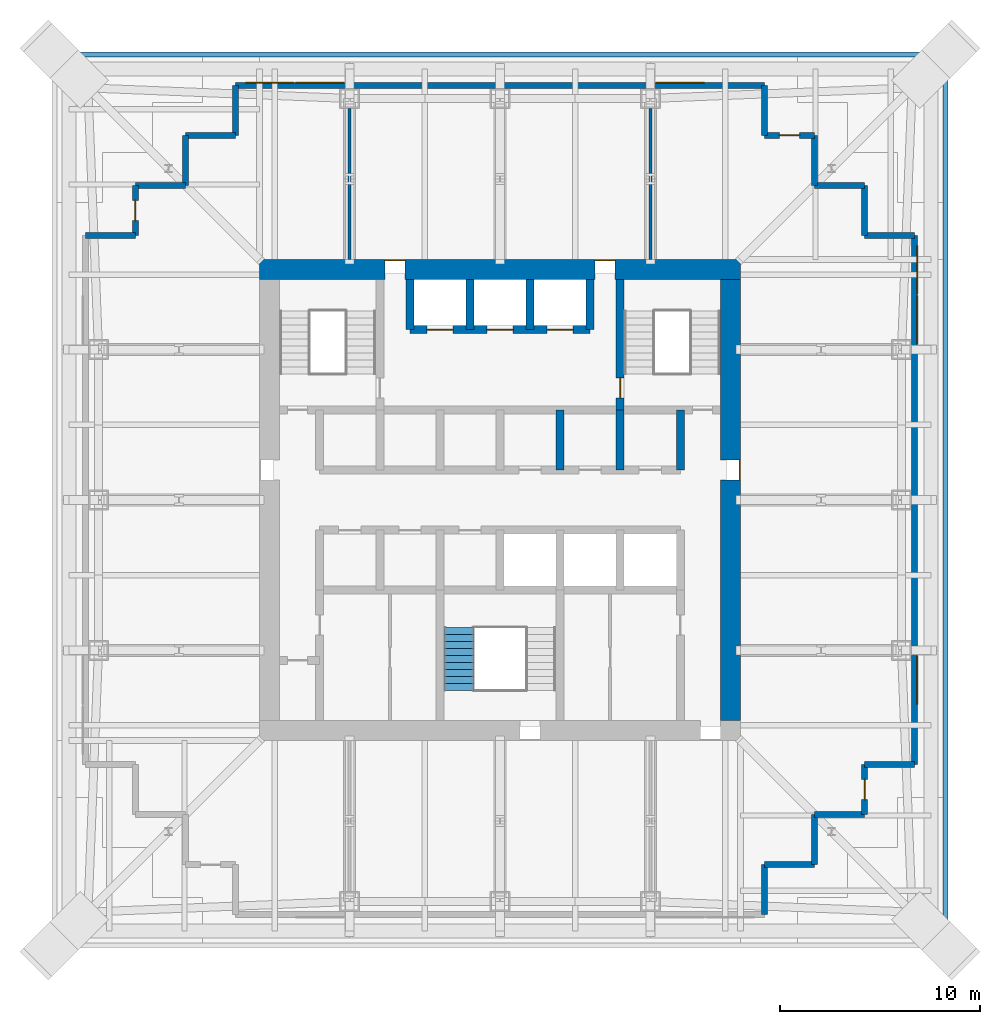
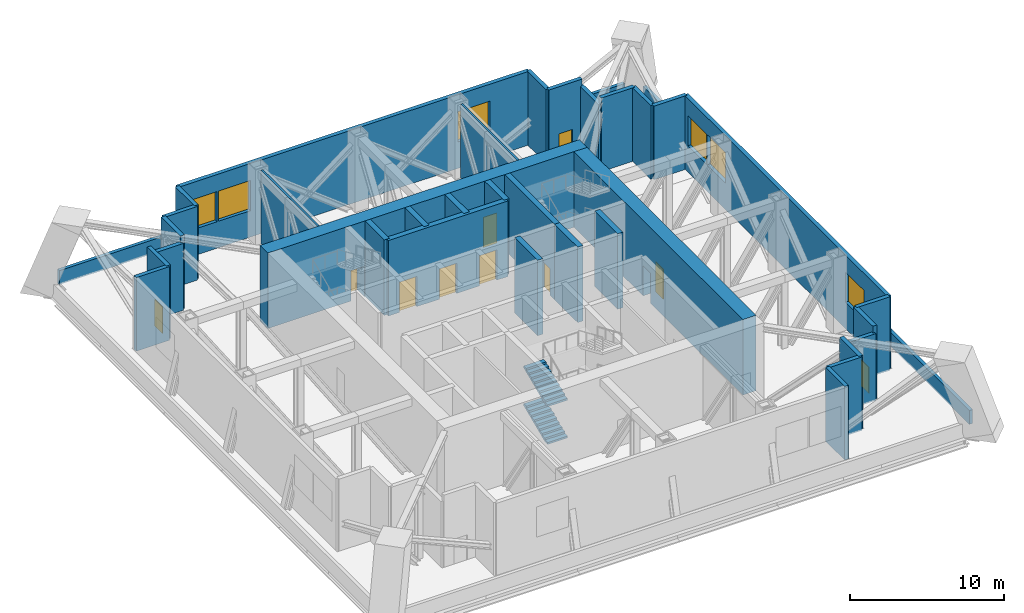
# One storey, part 6 of 9: 35 walls, 10 doors, 6 windows, 2 stair flights, 16 openings, 1 element without a shape of its own.
"""IFC4 building model written with IfcOpenShell, lengths in metres."""

from ifc_helpers import new_model, si_unit, direction, frame, frame_2d, origin, place, context, subcontext, project, spatial, polyline, rectangle, outline, extrude, material, layer, layer_set, type_object, element, fill, aggregate, save


model = new_model("IFC4")

# Units and contexts
model_context = context("Model", 3, precision=1e-05, world=origin(), true_north=direction((0.0, 1.0)))
body_context = subcontext(model_context, "Body", "Model", "MODEL_VIEW")
ifc_project = project(units=[si_unit("LENGTHUNIT", "METRE"), si_unit("AREAUNIT", "SQUARE_METRE"), si_unit("VOLUMEUNIT", "CUBIC_METRE"), si_unit("PLANEANGLEUNIT", "RADIAN"), si_unit("MASSUNIT", "GRAM", prefix="KILO")], contexts=[model_context])

# Site, building, storey
site_placement = place(None, origin())
site = spatial("IfcSite", under=ifc_project, at=site_placement, CompositionType="ELEMENT")
building_placement = place(site_placement, origin())
building = spatial("IfcBuilding", under=site, at=building_placement, Name="Tarangal Relay Tower", CompositionType="ELEMENT")
storey_placement = place(building_placement, frame((0.0, 0.0, 253.89990234375)))
storey = spatial("IfcBuildingStorey", under=building, at=storey_placement, Name="L55", CompositionType="ELEMENT", Elevation=253.89990234375)

# Wall, openings, doors
ifc_material_1 = material(Name="Concrete fc' 60 MPa", Category="concrete")
ifc_layer_1 = layer(ifc_material_1, 0.39990234375)
ifc_layer_set_1 = layer_set([ifc_layer_1], Name="Core inner wall 400")
wall_type_1 = type_object("IfcWallType", Name="Core inner wall 400", PredefinedType="SHEAR", material=ifc_layer_set_1)
wall_1_placement = place(storey_placement, frame((-4.5, 8.5, 0.0), z_axis=(0.0, 0.0, 1.0), x_axis=(1.0, 0.0, 0.0)))
wall_1 = element("IfcWall", 1, at=wall_1_placement, inside=storey, type_object=wall_type_1, Name="Core wall Y85 L55", PredefinedType="SHEAR", context=body_context, shape_type="SweptSolid", body=[
    extrude(rectangle(XDim=9.0, YDim=0.39990234375, at=frame_2d((4.5, 0.0))), origin(), (0.0, 0.0, 1.0), 6.0),
])
opening_1_placement = place(wall_1_placement, frame((0.85009765625, 0.0, 0.0)))
opening_1 = element("IfcOpeningElement", 2, at=opening_1_placement, cuts=wall_1, Name="Opening LD2", PredefinedType="OPENING", context=body_context, shape_type="SweptSolid", body=[
    extrude(rectangle(XDim=1.300048828125, YDim=2.39990234375, at=frame_2d((0.64990234375, 1.199951171875))), frame((0.0, 0.2099609375, 0.0), z_axis=(0.0, -1.0, 0.0), x_axis=(1.0, 0.0, 0.0)), (0.0, 0.0, 1.0), 0.419921875),
])
opening_2_placement = place(wall_1_placement, frame((6.85009765625, 0.0, 0.0)))
opening_2 = element("IfcOpeningElement", 3, at=opening_2_placement, cuts=wall_1, Name="Opening LD2", PredefinedType="OPENING", context=body_context, shape_type="SweptSolid", body=[
    extrude(rectangle(XDim=1.300048828125, YDim=2.39990234375, at=frame_2d((0.64990234375, 1.199951171875))), frame((0.0, 0.2099609375, 0.0), z_axis=(0.0, -1.0, 0.0), x_axis=(1.0, 0.0, 0.0)), (0.0, 0.0, 1.0), 0.419921875),
])
opening_3_placement = place(wall_1_placement, frame((3.85009765625, 0.0, 0.0)))
opening_3 = element("IfcOpeningElement", 4, at=opening_3_placement, cuts=wall_1, Name="Opening LD2", PredefinedType="OPENING", context=body_context, shape_type="SweptSolid", body=[
    extrude(rectangle(XDim=1.300048828125, YDim=2.39990234375, at=frame_2d((0.64990234375, 1.199951171875))), frame((0.0, 0.2099609375, 0.0), z_axis=(0.0, -1.0, 0.0), x_axis=(1.0, 0.0, 0.0)), (0.0, 0.0, 1.0), 0.419921875),
])
ifc_material_2 = material(Name="Steel door with hardwood frame", Category="steel")
door_type_1 = type_object("IfcDoorType", Name="Lift landing door 1300 x 2400", OperationType="SLIDING_TO_LEFT", PredefinedType="DOOR", material=ifc_material_2)
door_1_placement = place(opening_1_placement, origin())
door_1 = element("IfcDoor", 5, at=door_1_placement, inside=storey, type_object=door_type_1, Name="Lift FF1 landing door L55", OperationType="SLIDING_TO_LEFT", OverallHeight=2.39990234375, OverallWidth=1.300048828125, PredefinedType="DOOR", context=body_context, shape_type="SweptSolid", body=[
    extrude(rectangle(XDim=1.300048828125, YDim=2.39990234375, at=frame_2d((0.64990234375, 1.199951171875))), frame((0.0, 0.02490234375, 0.0), z_axis=(0.0, -1.0, 0.0), x_axis=(1.0, 0.0, 0.0)), (0.0, 0.0, 1.0), 0.050048828125),
])
fill(opening_1, door_1)
door_2_placement = place(opening_2_placement, origin())
door_2 = element("IfcDoor", 6, at=door_2_placement, inside=storey, type_object=door_type_1, Name="Lift FF2 landing door L55", OperationType="SLIDING_TO_LEFT", OverallHeight=2.39990234375, OverallWidth=1.300048828125, PredefinedType="DOOR", context=body_context, shape_type="SweptSolid", body=[
    extrude(rectangle(XDim=1.300048828125, YDim=2.39990234375, at=frame_2d((0.64990234375, 1.199951171875))), frame((0.0, 0.02490234375, 0.0), z_axis=(0.0, -1.0, 0.0), x_axis=(1.0, 0.0, 0.0)), (0.0, 0.0, 1.0), 0.050048828125),
])
fill(opening_2, door_2)
door_3_placement = place(opening_3_placement, origin())
door_3 = element("IfcDoor", 7, at=door_3_placement, inside=storey, type_object=door_type_1, Name="Lift SV1 landing door L55", OperationType="SLIDING_TO_LEFT", OverallHeight=2.39990234375, OverallWidth=1.300048828125, PredefinedType="DOOR", context=body_context, shape_type="SweptSolid", body=[
    extrude(rectangle(XDim=1.300048828125, YDim=2.39990234375, at=frame_2d((0.64990234375, 1.199951171875))), frame((0.0, 0.02490234375, 0.0), z_axis=(0.0, -1.0, 0.0), x_axis=(1.0, 0.0, 0.0)), (0.0, 0.0, 1.0), 0.050048828125),
])
fill(opening_3, door_3)

# Walls
for number, where, z_axis, x_axis, name in (
    (8, (9.0, 1.5, 0.0), (0.0, 0.0, 1.0), (0.0, 1.0, 0.0), "Core wall X9N L55"),
    (9, (3.0, 1.5, 0.0), (0.0, 0.0, 1.0), (0.0, 1.0, 0.0), "Core wall X3N L55"),
    (10, (6.0, 1.5, 0.0), (0.0, 0.0, 1.0), (0.0, 1.0, 0.0), "Core wall X6N L55"),
):
    element("IfcWall", number, at=place(storey_placement, frame(where, z_axis=z_axis, x_axis=x_axis)), inside=storey, type_object=wall_type_1, Name=name, PredefinedType="SHEAR", context=body_context, shape_type="SweptSolid", body=[
        extrude(rectangle(XDim=3.0, YDim=0.39990234375, at=frame_2d((1.5, 0.0))), origin(), (0.0, 0.0, 1.0), 6.0),
    ])

# Wall, opening, door
wall_2_placement = place(storey_placement, frame((6.0, 4.5, 0.0), z_axis=(0.0, 0.0, 1.0), x_axis=(0.0, 1.0, 0.0)))
wall_2 = element("IfcWall", 11, at=wall_2_placement, inside=storey, type_object=wall_type_1, Name="Core wall X6 L55", PredefinedType="SHEAR", context=body_context, shape_type="SweptSolid", body=[
    extrude(rectangle(XDim=6.5, YDim=0.39990234375, at=frame_2d((3.25, 0.0))), origin(), (0.0, 0.0, 1.0), 6.0),
])
opening_4_placement = place(wall_2_placement, frame((0.60009765625, 0.0, 0.0)))
opening_4 = element("IfcOpeningElement", 12, at=opening_4_placement, cuts=wall_2, Name="Opening FD1", PredefinedType="OPENING", context=body_context, shape_type="SweptSolid", body=[
    extrude(rectangle(XDim=1.0, YDim=2.10009765625, at=frame_2d((0.5, 1.050048828125))), frame((0.0, 0.2099609375, 0.0), z_axis=(0.0, -1.0, 0.0), x_axis=(1.0, 0.0, 0.0)), (0.0, 0.0, 1.0), 0.419921875),
])
door_type_2 = type_object("IfcDoorType", Name="Fire door 1000 x 2100", OperationType="SINGLE_SWING_LEFT", PredefinedType="DOOR", material=ifc_material_2)
door_4_placement = place(opening_4_placement, origin())
door_4 = element("IfcDoor", 13, at=door_4_placement, inside=storey, type_object=door_type_2, Name="Stair ST-B door from fire-fighting lobby L55", OperationType="SINGLE_SWING_LEFT", OverallHeight=2.10009765625, OverallWidth=1.0, PredefinedType="DOOR", context=body_context, shape_type="SweptSolid", body=[
    extrude(rectangle(XDim=1.0, YDim=2.10009765625, at=frame_2d((0.5, 1.050048828125))), frame((0.0, 0.02490234375, 0.0), z_axis=(0.0, -1.0, 0.0), x_axis=(1.0, 0.0, 0.0)), (0.0, 0.0, 1.0), 0.050048828125),
])
fill(opening_4, door_4)

# Walls
for number, where, z_axis, x_axis, name in (
    (14, (-4.5, 8.5, 0.0), (0.0, 0.0, 1.0), (0.0, 1.0, 0.0), "Core wall XM45 L55"),
    (15, (4.5, 8.5, 0.0), (0.0, 0.0, 1.0), (0.0, 1.0, 0.0), "Core wall X45 L55"),
    (16, (-1.5, 8.5, 0.0), (0.0, 0.0, 1.0), (0.0, 1.0, 0.0), "Core wall XM15 L55"),
    (17, (1.5, 8.5, 0.0), (0.0, 0.0, 1.0), (0.0, 1.0, 0.0), "Core wall X15 L55"),
):
    element("IfcWall", number, at=place(storey_placement, frame(where, z_axis=z_axis, x_axis=x_axis)), inside=storey, type_object=wall_type_1, Name=name, PredefinedType="SHEAR", context=body_context, shape_type="SweptSolid", body=[
        extrude(rectangle(XDim=2.5, YDim=0.39990234375, at=frame_2d((1.25, 0.0))), origin(), (0.0, 0.0, 1.0), 6.0),
    ])

# Wall, openings, doors
ifc_layer_2 = layer(ifc_material_1, 1.0)
ifc_layer_set_2 = layer_set([ifc_layer_2], Name="Core wall 1000")
wall_type_2 = type_object("IfcWallType", Name="Core wall 1000", PredefinedType="SHEAR", material=ifc_layer_set_2)
wall_3_placement = place(storey_placement, frame((-12.0, 11.5, 0.0), z_axis=(0.0, 0.0, 1.0), x_axis=(1.0, 0.0, 0.0)))
wall_3 = element("IfcWall", 18, at=wall_3_placement, inside=storey, type_object=wall_type_2, Name="Core wall N L55", PredefinedType="SHEAR", context=body_context, shape_type="SweptSolid", body=[
    extrude(rectangle(XDim=24.0, YDim=1.0, at=frame_2d((12.0, 0.0))), origin(), (0.0, 0.0, 1.0), 6.0),
])
opening_5_placement = place(wall_3_placement, frame((6.25, 0.0, 0.0)))
opening_5 = element("IfcOpeningElement", 19, at=opening_5_placement, cuts=wall_3, Name="Opening FD3", PredefinedType="OPENING", context=body_context, shape_type="SweptSolid", body=[
    extrude(rectangle(XDim=1.0, YDim=2.39990234375, at=frame_2d((0.5, 1.199951171875))), frame((0.0, 0.510009765625, 0.0), z_axis=(0.0, -1.0, 0.0), x_axis=(1.0, 0.0, 0.0)), (0.0, 0.0, 1.0), 1.02001953125),
])
opening_6_placement = place(wall_3_placement, frame((16.75, 0.0, 0.0)))
opening_6 = element("IfcOpeningElement", 20, at=opening_6_placement, cuts=wall_3, Name="Opening FD3", PredefinedType="OPENING", context=body_context, shape_type="SweptSolid", body=[
    extrude(rectangle(XDim=1.0, YDim=2.39990234375, at=frame_2d((0.5, 1.199951171875))), frame((0.0, 0.510009765625, 0.0), z_axis=(0.0, -1.0, 0.0), x_axis=(1.0, 0.0, 0.0)), (0.0, 0.0, 1.0), 1.02001953125),
])
door_type_3 = type_object("IfcDoorType", Name="Fire door 1000 x 2400 core entry", OperationType="SINGLE_SWING_RIGHT", PredefinedType="DOOR", material=ifc_material_2)
door_5_placement = place(opening_5_placement, origin())
door_5 = element("IfcDoor", 21, at=door_5_placement, inside=storey, type_object=door_type_3, Name="Core entry door north west L55", OperationType="SINGLE_SWING_RIGHT", OverallHeight=2.39990234375, OverallWidth=1.0, PredefinedType="DOOR", context=body_context, shape_type="SweptSolid", body=[
    extrude(rectangle(XDim=1.0, YDim=2.39990234375, at=frame_2d((0.5, 1.199951171875))), frame((0.0, 0.48486328125, 0.0), z_axis=(0.0, -1.0, 0.0), x_axis=(1.0, 0.0, 0.0)), (0.0, 0.0, 1.0), 0.050048828125),
])
fill(opening_5, door_5)
door_6_placement = place(opening_6_placement, origin())
door_6 = element("IfcDoor", 22, at=door_6_placement, inside=storey, type_object=door_type_3, Name="Core entry door north east L55", OperationType="SINGLE_SWING_RIGHT", OverallHeight=2.39990234375, OverallWidth=1.0, PredefinedType="DOOR", context=body_context, shape_type="SweptSolid", body=[
    extrude(rectangle(XDim=1.0, YDim=2.39990234375, at=frame_2d((0.5, 1.199951171875))), frame((0.0, 0.48486328125, 0.0), z_axis=(0.0, -1.0, 0.0), x_axis=(1.0, 0.0, 0.0)), (0.0, 0.0, 1.0), 0.050048828125),
])
fill(opening_6, door_6)

# Wall, opening, door
wall_4_placement = place(storey_placement, frame((11.5, 11.0, 0.0), z_axis=(0.0, 0.0, 1.0), x_axis=(0.0, -1.0, 0.0)))
wall_4 = element("IfcWall", 23, at=wall_4_placement, inside=storey, type_object=wall_type_2, Name="Core wall E L55", PredefinedType="SHEAR", context=body_context, shape_type="SweptSolid", body=[
    extrude(rectangle(XDim=22.0, YDim=1.0, at=frame_2d((11.0, 0.0))), origin(), (0.0, 0.0, 1.0), 6.0),
])
opening_7_placement = place(wall_4_placement, frame((9.0, 0.0, 0.0)))
opening_7 = element("IfcOpeningElement", 24, at=opening_7_placement, cuts=wall_4, Name="Opening FD3", PredefinedType="OPENING", context=body_context, shape_type="SweptSolid", body=[
    extrude(rectangle(XDim=1.0, YDim=2.39990234375, at=frame_2d((0.5, 1.199951171875))), frame((0.0, 0.510009765625, 0.0), z_axis=(0.0, -1.0, 0.0), x_axis=(1.0, 0.0, 0.0)), (0.0, 0.0, 1.0), 1.02001953125),
])
door_7_placement = place(opening_7_placement, origin())
door_7 = element("IfcDoor", 25, at=door_7_placement, inside=storey, type_object=door_type_3, Name="Core entry door east L55", OperationType="SINGLE_SWING_RIGHT", OverallHeight=2.39990234375, OverallWidth=1.0, PredefinedType="DOOR", context=body_context, shape_type="SweptSolid", body=[
    extrude(rectangle(XDim=1.0, YDim=2.39990234375, at=frame_2d((0.5, 1.199951171875))), frame((0.0, 0.48486328125, 0.0), z_axis=(0.0, -1.0, 0.0), x_axis=(1.0, 0.0, 0.0)), (0.0, 0.0, 1.0), 0.050048828125),
])
fill(opening_7, door_7)

# Wall, openings, windows
ifc_material_3 = material(Name="Insulated precast concrete fc' 40 MPa", Category="concrete")
ifc_layer_3 = layer(ifc_material_3, 0.300048828125)
ifc_layer_set_3 = layer_set([ifc_layer_3], Name="Insulated precast concrete fc' 40 MPa")
wall_type_3 = type_object("IfcWallType", Name="Facade wall precast 300", PredefinedType="SOLIDWALL", material=ifc_layer_set_3)
wall_5_placement = place(storey_placement, frame((-13.199951171875, 20.699951171875, 0.0), z_axis=(0.0, 0.0, 1.0), x_axis=(1.0, 0.0, 0.0)))
wall_5 = element("IfcWall", 26, at=wall_5_placement, inside=storey, type_object=wall_type_3, Name="Facade wall N facade L55", PredefinedType="SOLIDWALL", context=body_context, shape_type="SweptSolid", body=[
    extrude(rectangle(XDim=26.39990234375, YDim=0.300048828125, at=frame_2d((13.199951171875, 0.0))), origin(), (0.0, 0.0, 1.0), 5.85009765625),
])
opening_8_placement = place(wall_5_placement, frame((0.5, 0.0, 2.10009765625)))
opening_8 = element("IfcOpeningElement", 27, at=opening_8_placement, cuts=wall_5, Name="Opening LV1", PredefinedType="OPENING", context=body_context, shape_type="SweptSolid", body=[
    extrude(rectangle(XDim=2.39990234375, YDim=2.39990234375, at=frame_2d((1.199951171875, 1.199951171875))), frame((0.0, 0.159912109375, 0.0), z_axis=(0.0, -1.0, 0.0), x_axis=(1.0, 0.0, 0.0)), (0.0, 0.0, 1.0), 0.320068359375),
])
opening_9_placement = place(wall_5_placement, frame((3.0, 0.0, 2.10009765625)))
opening_9 = element("IfcOpeningElement", 28, at=opening_9_placement, cuts=wall_5, Name="Opening LV1", PredefinedType="OPENING", context=body_context, shape_type="SweptSolid", body=[
    extrude(rectangle(XDim=2.39990234375, YDim=2.39990234375, at=frame_2d((1.199951171875, 1.199951171875))), frame((0.0, 0.159912109375, 0.0), z_axis=(0.0, -1.0, 0.0), x_axis=(1.0, 0.0, 0.0)), (0.0, 0.0, 1.0), 0.320068359375),
])
opening_10_placement = place(wall_5_placement, frame((21.0, 0.0, 2.10009765625)))
opening_10 = element("IfcOpeningElement", 29, at=opening_10_placement, cuts=wall_5, Name="Opening LV1", PredefinedType="OPENING", context=body_context, shape_type="SweptSolid", body=[
    extrude(rectangle(XDim=2.39990234375, YDim=2.39990234375, at=frame_2d((1.199951171875, 1.199951171875))), frame((0.0, 0.159912109375, 0.0), z_axis=(0.0, -1.0, 0.0), x_axis=(1.0, 0.0, 0.0)), (0.0, 0.0, 1.0), 0.320068359375),
])
ifc_material_4 = material(Name="Black aluminium weather louvre", Category="aluminium")
window_type = type_object("IfcWindowType", Name="Louvre 2400 x 2400", PartitioningType="SINGLE_PANEL", PredefinedType="WINDOW", material=ifc_material_4)
window_1_placement = place(opening_8_placement, origin())
window_1 = element("IfcWindow", 30, at=window_1_placement, inside=storey, type_object=window_type, Name="Louvre LV1 N facade L55", OverallHeight=2.39990234375, OverallWidth=2.39990234375, PartitioningType="SINGLE_PANEL", PredefinedType="WINDOW", context=body_context, shape_type="SweptSolid", body=[
    extrude(rectangle(XDim=2.39990234375, YDim=2.39990234375, at=frame_2d((1.199951171875, 1.199951171875))), frame((0.0, 0.150146484375, 0.0), z_axis=(0.0, -1.0, 0.0), x_axis=(1.0, 0.0, 0.0)), (0.0, 0.0, 1.0), 0.06005859375),
])
fill(opening_8, window_1)
window_2_placement = place(opening_9_placement, origin())
window_2 = element("IfcWindow", 31, at=window_2_placement, inside=storey, type_object=window_type, Name="Louvre LV1 N facade L55", OverallHeight=2.39990234375, OverallWidth=2.39990234375, PartitioningType="SINGLE_PANEL", PredefinedType="WINDOW", context=body_context, shape_type="SweptSolid", body=[
    extrude(rectangle(XDim=2.39990234375, YDim=2.39990234375, at=frame_2d((1.199951171875, 1.199951171875))), frame((0.0, 0.150146484375, 0.0), z_axis=(0.0, -1.0, 0.0), x_axis=(1.0, 0.0, 0.0)), (0.0, 0.0, 1.0), 0.06005859375),
])
fill(opening_9, window_2)
window_3_placement = place(opening_10_placement, origin())
window_3 = element("IfcWindow", 32, at=window_3_placement, inside=storey, type_object=window_type, Name="Louvre LV1 N facade L55", OverallHeight=2.39990234375, OverallWidth=2.39990234375, PartitioningType="SINGLE_PANEL", PredefinedType="WINDOW", context=body_context, shape_type="SweptSolid", body=[
    extrude(rectangle(XDim=2.39990234375, YDim=2.39990234375, at=frame_2d((1.199951171875, 1.199951171875))), frame((0.0, 0.150146484375, 0.0), z_axis=(0.0, -1.0, 0.0), x_axis=(1.0, 0.0, 0.0)), (0.0, 0.0, 1.0), 0.06005859375),
])
fill(opening_10, window_3)

# Wall
wall_6_placement = place(storey_placement, frame((13.199951171875, 20.699951171875, 0.0), z_axis=(0.0, 0.0, 1.0), x_axis=(0.0, -1.0, 0.0)))
element("IfcWall", 33, at=wall_6_placement, inside=storey, type_object=wall_type_3, Name="Facade wall N facade L55", PredefinedType="SOLIDWALL", context=body_context, shape_type="SweptSolid", body=[
    extrude(rectangle(XDim=2.5, YDim=0.300048828125, at=frame_2d((1.25, 0.0))), origin(), (0.0, 0.0, 1.0), 5.85009765625),
])

# Wall, opening, door
wall_7_placement = place(storey_placement, frame((13.199951171875, 18.199951171875, 0.0), z_axis=(0.0, 0.0, 1.0), x_axis=(1.0, 0.0, 0.0)))
wall_7 = element("IfcWall", 34, at=wall_7_placement, inside=storey, type_object=wall_type_3, Name="Facade wall N facade L55", PredefinedType="SOLIDWALL", context=body_context, shape_type="SweptSolid", body=[
    extrude(rectangle(XDim=2.5, YDim=0.300048828125, at=frame_2d((1.25, 0.0))), origin(), (0.0, 0.0, 1.0), 5.85009765625),
])
opening_11_placement = place(wall_7_placement, frame((0.75, 0.0, 0.0)))
opening_11 = element("IfcOpeningElement", 35, at=opening_11_placement, cuts=wall_7, Name="Opening MD1", PredefinedType="OPENING", context=body_context, shape_type="SweptSolid", body=[
    extrude(rectangle(XDim=1.0, YDim=2.10009765625, at=frame_2d((0.5, 1.050048828125))), frame((0.0, 0.159912109375, 0.0), z_axis=(0.0, -1.0, 0.0), x_axis=(1.0, 0.0, 0.0)), (0.0, 0.0, 1.0), 0.320068359375),
])
door_type_4 = type_object("IfcDoorType", Name="Maintenance access door 1000 x 2100", OperationType="SINGLE_SWING_RIGHT", PredefinedType="DOOR", material=ifc_material_2)
door_8_placement = place(opening_11_placement, origin())
door_8 = element("IfcDoor", 36, at=door_8_placement, inside=storey, type_object=door_type_4, Name="Maintenance access door MD1 NE L55", OperationType="SINGLE_SWING_RIGHT", OverallHeight=2.10009765625, OverallWidth=1.0, PredefinedType="DOOR", context=body_context, shape_type="SweptSolid", body=[
    extrude(rectangle(XDim=1.0, YDim=2.10009765625, at=frame_2d((0.5, 1.050048828125))), frame((0.0, 0.02490234375, 0.0), z_axis=(0.0, -1.0, 0.0), x_axis=(1.0, 0.0, 0.0)), (0.0, 0.0, 1.0), 0.050048828125),
])
fill(opening_11, door_8)

# Walls
wall_8_placement = place(storey_placement, frame((15.699951171875, 18.199951171875, 0.0), z_axis=(0.0, 0.0, 1.0), x_axis=(0.0, -1.0, 0.0)))
element("IfcWall", 37, at=wall_8_placement, inside=storey, type_object=wall_type_3, Name="Facade wall N facade L55", PredefinedType="SOLIDWALL", context=body_context, shape_type="SweptSolid", body=[
    extrude(rectangle(XDim=2.5, YDim=0.300048828125, at=frame_2d((1.25, 0.0))), origin(), (0.0, 0.0, 1.0), 5.306396484375),
])
for number, where, z_axis, x_axis, name in (
    (38, (15.699951171875, 15.699951171875, 0.0), (0.0, 0.0, 1.0), (1.0, 0.0, 0.0), "Facade wall N facade L55"),
    (39, (18.199951171875, 15.699951171875, 0.0), (0.0, 0.0, 1.0), (0.0, -1.0, 0.0), "Facade wall N facade L55"),
    (40, (18.199951171875, 13.199951171875, 0.0), (0.0, 0.0, 1.0), (1.0, 0.0, 0.0), "Facade wall N facade L55"),
):
    element("IfcWall", number, at=place(storey_placement, frame(where, z_axis=z_axis, x_axis=x_axis)), inside=storey, type_object=wall_type_3, Name=name, PredefinedType="SOLIDWALL", context=body_context, shape_type="SweptSolid", body=[
        extrude(rectangle(XDim=2.5, YDim=0.300048828125, at=frame_2d((1.25, 0.0))), origin(), (0.0, 0.0, 1.0), 5.85009765625),
    ])

# Wall, openings, windows
wall_9_placement = place(storey_placement, frame((20.699951171875, 13.199951171875, 0.0), z_axis=(0.0, 0.0, 1.0), x_axis=(0.0, -1.0, 0.0)))
wall_9 = element("IfcWall", 41, at=wall_9_placement, inside=storey, type_object=wall_type_3, Name="Facade wall E facade L55", PredefinedType="SOLIDWALL", context=body_context, shape_type="SweptSolid", body=[
    extrude(rectangle(XDim=26.39990234375, YDim=0.300048828125, at=frame_2d((13.199951171875, 0.0))), origin(), (0.0, 0.0, 1.0), 5.85009765625),
])
opening_12_placement = place(wall_9_placement, frame((0.5, 0.0, 2.10009765625)))
opening_12 = element("IfcOpeningElement", 42, at=opening_12_placement, cuts=wall_9, Name="Opening LV1", PredefinedType="OPENING", context=body_context, shape_type="SweptSolid", body=[
    extrude(rectangle(XDim=2.39990234375, YDim=2.39990234375, at=frame_2d((1.199951171875, 1.199951171875))), frame((0.0, 0.159912109375, 0.0), z_axis=(0.0, -1.0, 0.0), x_axis=(1.0, 0.0, 0.0)), (0.0, 0.0, 1.0), 0.320068359375),
])
opening_13_placement = place(wall_9_placement, frame((3.0, 0.0, 2.10009765625)))
opening_13 = element("IfcOpeningElement", 43, at=opening_13_placement, cuts=wall_9, Name="Opening LV1", PredefinedType="OPENING", context=body_context, shape_type="SweptSolid", body=[
    extrude(rectangle(XDim=2.39990234375, YDim=2.39990234375, at=frame_2d((1.199951171875, 1.199951171875))), frame((0.0, 0.159912109375, 0.0), z_axis=(0.0, -1.0, 0.0), x_axis=(1.0, 0.0, 0.0)), (0.0, 0.0, 1.0), 0.320068359375),
])
opening_14_placement = place(wall_9_placement, frame((21.0, 0.0, 2.10009765625)))
opening_14 = element("IfcOpeningElement", 44, at=opening_14_placement, cuts=wall_9, Name="Opening LV1", PredefinedType="OPENING", context=body_context, shape_type="SweptSolid", body=[
    extrude(rectangle(XDim=2.39990234375, YDim=2.39990234375, at=frame_2d((1.199951171875, 1.199951171875))), frame((0.0, 0.159912109375, 0.0), z_axis=(0.0, -1.0, 0.0), x_axis=(1.0, 0.0, 0.0)), (0.0, 0.0, 1.0), 0.320068359375),
])
window_4_placement = place(opening_12_placement, origin())
window_4 = element("IfcWindow", 45, at=window_4_placement, inside=storey, type_object=window_type, Name="Louvre LV1 E facade L55", OverallHeight=2.39990234375, OverallWidth=2.39990234375, PartitioningType="SINGLE_PANEL", PredefinedType="WINDOW", context=body_context, shape_type="SweptSolid", body=[
    extrude(rectangle(XDim=2.39990234375, YDim=2.39990234375, at=frame_2d((1.199951171875, 1.199951171875))), frame((0.0, 0.150146484375, 0.0), z_axis=(0.0, -1.0, 0.0), x_axis=(1.0, 0.0, 0.0)), (0.0, 0.0, 1.0), 0.06005859375),
])
fill(opening_12, window_4)
window_5_placement = place(opening_13_placement, origin())
window_5 = element("IfcWindow", 46, at=window_5_placement, inside=storey, type_object=window_type, Name="Louvre LV1 E facade L55", OverallHeight=2.39990234375, OverallWidth=2.39990234375, PartitioningType="SINGLE_PANEL", PredefinedType="WINDOW", context=body_context, shape_type="SweptSolid", body=[
    extrude(rectangle(XDim=2.39990234375, YDim=2.39990234375, at=frame_2d((1.199951171875, 1.199951171875))), frame((0.0, 0.150146484375, 0.0), z_axis=(0.0, -1.0, 0.0), x_axis=(1.0, 0.0, 0.0)), (0.0, 0.0, 1.0), 0.06005859375),
])
fill(opening_13, window_5)
window_6_placement = place(opening_14_placement, origin())
window_6 = element("IfcWindow", 47, at=window_6_placement, inside=storey, type_object=window_type, Name="Louvre LV1 E facade L55", OverallHeight=2.39990234375, OverallWidth=2.39990234375, PartitioningType="SINGLE_PANEL", PredefinedType="WINDOW", context=body_context, shape_type="SweptSolid", body=[
    extrude(rectangle(XDim=2.39990234375, YDim=2.39990234375, at=frame_2d((1.199951171875, 1.199951171875))), frame((0.0, 0.150146484375, 0.0), z_axis=(0.0, -1.0, 0.0), x_axis=(1.0, 0.0, 0.0)), (0.0, 0.0, 1.0), 0.06005859375),
])
fill(opening_14, window_6)

# Wall
wall_10_placement = place(storey_placement, frame((20.699951171875, -13.199951171875, 0.0), z_axis=(0.0, 0.0, 1.0), x_axis=(-1.0, 0.0, 0.0)))
element("IfcWall", 48, at=wall_10_placement, inside=storey, type_object=wall_type_3, Name="Facade wall E facade L55", PredefinedType="SOLIDWALL", context=body_context, shape_type="SweptSolid", body=[
    extrude(rectangle(XDim=2.5, YDim=0.300048828125, at=frame_2d((1.25, 0.0))), origin(), (0.0, 0.0, 1.0), 5.85009765625),
])

# Wall, opening, door
wall_11_placement = place(storey_placement, frame((18.199951171875, -13.199951171875, 0.0), z_axis=(0.0, 0.0, 1.0), x_axis=(0.0, -1.0, 0.0)))
wall_11 = element("IfcWall", 49, at=wall_11_placement, inside=storey, type_object=wall_type_3, Name="Facade wall E facade L55", PredefinedType="SOLIDWALL", context=body_context, shape_type="SweptSolid", body=[
    extrude(rectangle(XDim=2.5, YDim=0.300048828125, at=frame_2d((1.25, 0.0))), origin(), (0.0, 0.0, 1.0), 5.85009765625),
])
opening_15_placement = place(wall_11_placement, frame((0.75, 0.0, 0.0)))
opening_15 = element("IfcOpeningElement", 50, at=opening_15_placement, cuts=wall_11, Name="Opening MD1", PredefinedType="OPENING", context=body_context, shape_type="SweptSolid", body=[
    extrude(rectangle(XDim=1.0, YDim=2.10009765625, at=frame_2d((0.5, 1.050048828125))), frame((0.0, 0.159912109375, 0.0), z_axis=(0.0, -1.0, 0.0), x_axis=(1.0, 0.0, 0.0)), (0.0, 0.0, 1.0), 0.320068359375),
])
door_9_placement = place(opening_15_placement, origin())
door_9 = element("IfcDoor", 51, at=door_9_placement, inside=storey, type_object=door_type_4, Name="Maintenance access door MD1 SE L55", OperationType="SINGLE_SWING_RIGHT", OverallHeight=2.10009765625, OverallWidth=1.0, PredefinedType="DOOR", context=body_context, shape_type="SweptSolid", body=[
    extrude(rectangle(XDim=1.0, YDim=2.10009765625, at=frame_2d((0.5, 1.050048828125))), frame((0.0, 0.02490234375, 0.0), z_axis=(0.0, -1.0, 0.0), x_axis=(1.0, 0.0, 0.0)), (0.0, 0.0, 1.0), 0.050048828125),
])
fill(opening_15, door_9)

# Walls
wall_12_placement = place(storey_placement, frame((18.199951171875, -15.699951171875, 0.0), z_axis=(0.0, 0.0, 1.0), x_axis=(-1.0, 0.0, 0.0)))
element("IfcWall", 52, at=wall_12_placement, inside=storey, type_object=wall_type_3, Name="Facade wall E facade L55", PredefinedType="SOLIDWALL", context=body_context, shape_type="SweptSolid", body=[
    extrude(rectangle(XDim=2.5, YDim=0.300048828125, at=frame_2d((1.25, 0.0))), origin(), (0.0, 0.0, 1.0), 5.306396484375),
])
for number, where, z_axis, x_axis, name in (
    (53, (15.699951171875, -15.699951171875, 0.0), (0.0, 0.0, 1.0), (0.0, -1.0, 0.0), "Facade wall E facade L55"),
    (54, (15.699951171875, -18.199951171875, 0.0), (0.0, 0.0, 1.0), (-1.0, 0.0, 0.0), "Facade wall E facade L55"),
    (55, (13.199951171875, -18.199951171875, 0.0), (0.0, 0.0, 1.0), (0.0, -1.0, 0.0), "Facade wall E facade L55"),
    (56, (-20.699951171875, 13.199951171875, 0.0), (0.0, 0.0, 1.0), (1.0, 0.0, 0.0), "Facade wall W facade L55"),
):
    element("IfcWall", number, at=place(storey_placement, frame(where, z_axis=z_axis, x_axis=x_axis)), inside=storey, type_object=wall_type_3, Name=name, PredefinedType="SOLIDWALL", context=body_context, shape_type="SweptSolid", body=[
        extrude(rectangle(XDim=2.5, YDim=0.300048828125, at=frame_2d((1.25, 0.0))), origin(), (0.0, 0.0, 1.0), 5.85009765625),
    ])

# Wall, opening, door
wall_13_placement = place(storey_placement, frame((-18.199951171875, 13.199951171875, 0.0), z_axis=(0.0, 0.0, 1.0), x_axis=(0.0, 1.0, 0.0)))
wall_13 = element("IfcWall", 57, at=wall_13_placement, inside=storey, type_object=wall_type_3, Name="Facade wall W facade L55", PredefinedType="SOLIDWALL", context=body_context, shape_type="SweptSolid", body=[
    extrude(rectangle(XDim=2.5, YDim=0.300048828125, at=frame_2d((1.25, 0.0))), origin(), (0.0, 0.0, 1.0), 5.85009765625),
])
opening_16_placement = place(wall_13_placement, frame((0.75, 0.0, 0.0)))
opening_16 = element("IfcOpeningElement", 58, at=opening_16_placement, cuts=wall_13, Name="Opening MD1", PredefinedType="OPENING", context=body_context, shape_type="SweptSolid", body=[
    extrude(rectangle(XDim=1.0, YDim=2.10009765625, at=frame_2d((0.5, 1.050048828125))), frame((0.0, 0.159912109375, 0.0), z_axis=(0.0, -1.0, 0.0), x_axis=(1.0, 0.0, 0.0)), (0.0, 0.0, 1.0), 0.320068359375),
])
door_10_placement = place(opening_16_placement, origin())
door_10 = element("IfcDoor", 59, at=door_10_placement, inside=storey, type_object=door_type_4, Name="Maintenance access door MD1 NW L55", OperationType="SINGLE_SWING_RIGHT", OverallHeight=2.10009765625, OverallWidth=1.0, PredefinedType="DOOR", context=body_context, shape_type="SweptSolid", body=[
    extrude(rectangle(XDim=1.0, YDim=2.10009765625, at=frame_2d((0.5, 1.050048828125))), frame((0.0, 0.02490234375, 0.0), z_axis=(0.0, -1.0, 0.0), x_axis=(1.0, 0.0, 0.0)), (0.0, 0.0, 1.0), 0.050048828125),
])
fill(opening_16, door_10)

# Walls
wall_14_placement = place(storey_placement, frame((-18.199951171875, 15.699951171875, 0.0), z_axis=(0.0, 0.0, 1.0), x_axis=(1.0, 0.0, 0.0)))
element("IfcWall", 60, at=wall_14_placement, inside=storey, type_object=wall_type_3, Name="Facade wall W facade L55", PredefinedType="SOLIDWALL", context=body_context, shape_type="SweptSolid", body=[
    extrude(rectangle(XDim=2.5, YDim=0.300048828125, at=frame_2d((1.25, 0.0))), origin(), (0.0, 0.0, 1.0), 5.306396484375),
])
for number, where, z_axis, x_axis, name in (
    (61, (-15.699951171875, 15.699951171875, 0.0), (0.0, 0.0, 1.0), (0.0, 1.0, 0.0), "Facade wall W facade L55"),
    (62, (-15.699951171875, 18.199951171875, 0.0), (0.0, 0.0, 1.0), (1.0, 0.0, 0.0), "Facade wall W facade L55"),
    (63, (-13.199951171875, 18.199951171875, 0.0), (0.0, 0.0, 1.0), (0.0, 1.0, 0.0), "Facade wall W facade L55"),
):
    element("IfcWall", number, at=place(storey_placement, frame(where, z_axis=z_axis, x_axis=x_axis)), inside=storey, type_object=wall_type_3, Name=name, PredefinedType="SOLIDWALL", context=body_context, shape_type="SweptSolid", body=[
        extrude(rectangle(XDim=2.5, YDim=0.300048828125, at=frame_2d((1.25, 0.0))), origin(), (0.0, 0.0, 1.0), 5.85009765625),
    ])
ifc_material_5 = material(Name="Concrete parapet with metal coping", Category="concrete")
ifc_layer_4 = layer(ifc_material_5, 0.25)
ifc_layer_set_4 = layer_set([ifc_layer_4], Name="Parapet 250")
wall_type_4 = type_object("IfcWallType", Name="Parapet 250", PredefinedType="PARAPET", material=ifc_layer_set_4)
for number, where, z_axis, x_axis, name in (
    (64, (-21.25, 22.22509765625, 0.0), (0.0, 0.0, 1.0), (1.0, 0.0, 0.0), "Ledge parapet PP1 L55"),
    (65, (22.22509765625, 21.25, 0.0), (0.0, 0.0, 1.0), (0.0, -1.0, 0.0), "Ledge parapet PP1 L55"),
):
    element("IfcWall", number, at=place(storey_placement, frame(where, z_axis=z_axis, x_axis=x_axis)), inside=storey, type_object=wall_type_4, Name=name, PredefinedType="PARAPET", context=body_context, shape_type="SweptSolid", body=[
        extrude(rectangle(XDim=42.5, YDim=0.25, at=frame_2d((21.25, 0.0))), origin(), (0.0, 0.0, 1.0), 1.10009765625),
    ])
ifc_material_6 = material(Name="Gypsum board on steel studs", Category="steel")
ifc_layer_5 = layer(ifc_material_6, 0.14990234375)
ifc_layer_set_5 = layer_set([ifc_layer_5], Name="Partition 150")
wall_type_5 = type_object("IfcWallType", Name="Partition 150", PredefinedType="PARTITIONING", material=ifc_layer_set_5)
for number, where, z_axis, x_axis, name in (
    (66, (-7.5, 12.0, 0.0), (0.0, 0.0, 1.0), (0.0, 1.0, 0.0), "Partition PT1 L55"),
    (67, (7.5, 12.0, 0.0), (0.0, 0.0, 1.0), (0.0, 1.0, 0.0), "Partition PT1 L55"),
):
    element("IfcWall", number, at=place(storey_placement, frame(where, z_axis=z_axis, x_axis=x_axis)), inside=storey, type_object=wall_type_5, Name=name, PredefinedType="PARTITIONING", context=body_context, shape_type="SweptSolid", body=[
        extrude(rectangle(XDim=7.5400390625, YDim=0.14990234375, at=frame_2d((3.77001953125, 0.0))), origin(), (0.0, 0.0, 1.0), 5.85009765625),
    ])

# Stair, stair flights
ifc_material_7 = material(Name="Steel ASTM A992 stair flight", Category="steel")
stair_type = type_object("IfcStairType", Name="Core stair 1500", PredefinedType="HALF_TURN_STAIR", material=ifc_material_7)
stair_placement = place(storey_placement, origin())
stair = element("IfcStair", 68, at=stair_placement, inside=storey, type_object=stair_type, Name="Stair ST-C L55", PredefinedType="HALF_TURN_STAIR")
stair_flight_type = type_object("IfcStairFlightType", Name="Steel stair flight 1500, 10 risers 150 x 348", PredefinedType="STRAIGHT", material=ifc_material_7)
stair_flight_1_placement = place(storey_placement, frame((-2.050048828125, -9.5, 0.0), z_axis=(0.0, 0.0, 1.0), x_axis=(0.0, 1.0, 0.0)))
stair_flight_1 = element("IfcStairFlight", 69, at=stair_flight_1_placement, type_object=stair_flight_type, Name="ST-C flight 1", NumberOfRisers=10, NumberOfTreads=9, PredefinedType="STRAIGHT", RiserHeight=0.15, TreadLength=0.348, context=body_context, shape_type="SweptSolid", body=[
    extrude(outline(polyline([(0.0, 0.0), (0.0, 0.14990234375), (0.347900390625, 0.14990234375), (0.347900390625, 0.300048828125), (0.696044921875, 0.300048828125), (0.696044921875, 0.449951171875), (1.0439453125, 0.449951171875), (1.0439453125, 0.60009765625), (1.39208984375, 0.60009765625), (1.39208984375, 0.75), (1.739990234375, 0.75), (1.739990234375, 0.89990234375), (2.087890625, 0.89990234375), (2.087890625, 1.050048828125), (2.43603515625, 1.050048828125), (2.43603515625, 1.199951171875), (2.783935546875, 1.199951171875), (2.783935546875, 1.35009765625), (3.132080078125, 1.35009765625), (3.132080078125, 1.5), (3.132080078125, 1.186767578125), (0.378662109375, 0.0), (0.0, 0.0)])), frame((0.0, 0.75, 0.0), z_axis=(0.0, -1.0, 0.0), x_axis=(1.0, 0.0, 0.0)), (0.0, 0.0, 1.0), 1.5),
])
stair_flight_2_placement = place(storey_placement, frame((-2.050048828125, -9.5, 3.0), z_axis=(0.0, 0.0, 1.0), x_axis=(0.0, 1.0, 0.0)))
stair_flight_2 = element("IfcStairFlight", 70, at=stair_flight_2_placement, type_object=stair_flight_type, Name="ST-C flight 3", NumberOfRisers=10, NumberOfTreads=9, PredefinedType="STRAIGHT", RiserHeight=0.15, TreadLength=0.348, context=body_context, shape_type="SweptSolid", body=[
    extrude(outline(polyline([(0.0, 0.0), (0.0, 0.14990234375), (0.347900390625, 0.14990234375), (0.347900390625, 0.300048828125), (0.696044921875, 0.300048828125), (0.696044921875, 0.449951171875), (1.0439453125, 0.449951171875), (1.0439453125, 0.60009765625), (1.39208984375, 0.60009765625), (1.39208984375, 0.75), (1.739990234375, 0.75), (1.739990234375, 0.89990234375), (2.087890625, 0.89990234375), (2.087890625, 1.050048828125), (2.43603515625, 1.050048828125), (2.43603515625, 1.199951171875), (2.783935546875, 1.199951171875), (2.783935546875, 1.35009765625), (3.132080078125, 1.35009765625), (3.132080078125, 1.5), (3.132080078125, 1.186767578125), (0.378662109375, 0.0), (0.0, 0.0)])), frame((0.0, 0.75, 0.0), z_axis=(0.0, -1.0, 0.0), x_axis=(1.0, 0.0, 0.0)), (0.0, 0.0, 1.0), 1.5),
])
aggregate(stair, [stair_flight_1, stair_flight_2])

save(model, "model.ifc")
